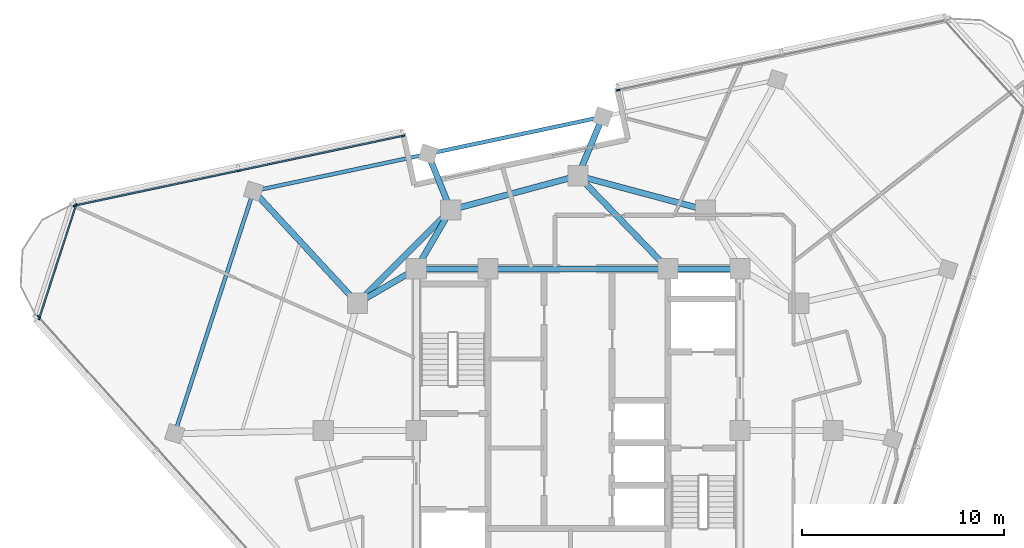
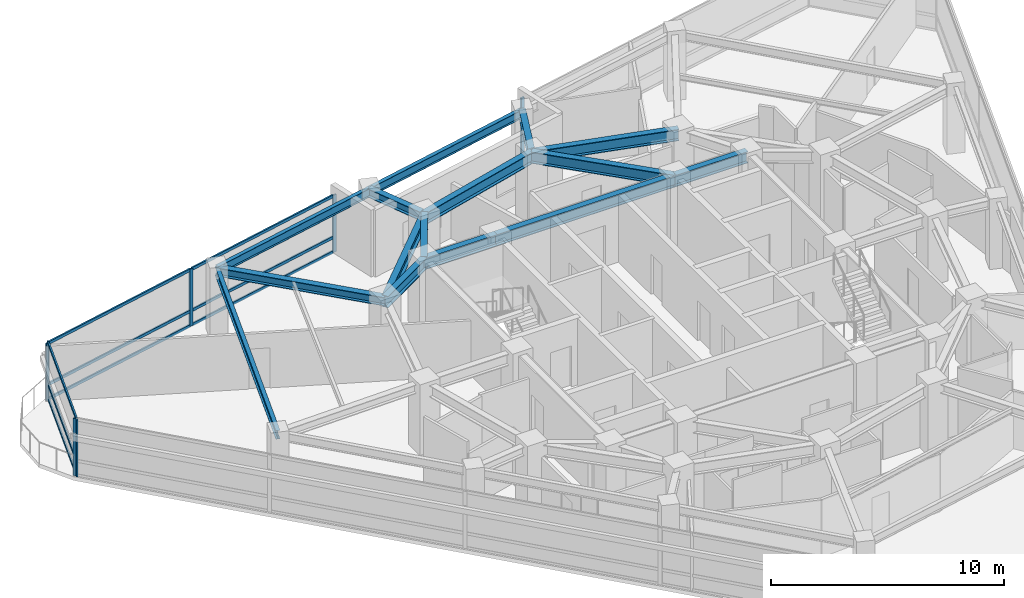
# One storey, part 5 of 15: 16 members, 15 beams, 4 elements without a shape of their own.
"""IFC4 building model written with IfcOpenShell, lengths in metres."""

from ifc_helpers import new_model, si_unit, direction, frame, origin, origin_2d, place, context, subcontext, project, spatial, rectangle, i_section, extrude, material, layer, layer_set, material_profile, profile_set, type_object, element, aggregate, save


model = new_model("IFC4")

# Units and contexts
model_context = context("Model", 3, precision=1e-05, world=origin(), true_north=direction((0.0, 1.0)))
body_context = subcontext(model_context, "Body", "Model", "MODEL_VIEW")
ifc_project = project(units=[si_unit("LENGTHUNIT", "METRE"), si_unit("AREAUNIT", "SQUARE_METRE"), si_unit("VOLUMEUNIT", "CUBIC_METRE"), si_unit("PLANEANGLEUNIT", "RADIAN"), si_unit("MASSUNIT", "GRAM", prefix="KILO")], contexts=[model_context])

# Site, building, storey
site_placement = place(None, origin())
site = spatial("IfcSite", under=ifc_project, at=site_placement, CompositionType="ELEMENT")
building_placement = place(site_placement, origin())
building = spatial("IfcBuilding", under=site, at=building_placement, Name="Terralouvre Media Tower", CompositionType="ELEMENT")
storey_placement = place(building_placement, frame((0.0, 0.0, 294.300048828125)))
storey = spatial("IfcBuildingStorey", under=building, at=storey_placement, Name="L76", CompositionType="ELEMENT", Elevation=294.300048828125)

# Curtain wall, members
ifc_material_1 = material(Name="Low-iron laminated double glazing with solar-control coating", Category="glass")
ifc_layer_1 = layer(ifc_material_1, 0.1650390625, Name="Faceted Glass-Point Crown Curtain Wall CW-06")
ifc_layer_set_1 = layer_set([ifc_layer_1], Name="Low-iron laminated double glazing with solar-control coating")
curtain_wall_type_1 = type_object("IfcCurtainWallType", Name="Faceted Glass-Point Crown Curtain Wall CW-06", PredefinedType="NOTDEFINED", material=ifc_layer_set_1)
curtain_wall_1_placement = place(storey_placement, origin())
curtain_wall_1 = element("IfcCurtainWall", 1, at=curtain_wall_1_placement, inside=storey, type_object=curtain_wall_type_1, Name="L76 Right Flank Curtain Wall F1", PredefinedType="NOTDEFINED")
ifc_material_2 = material(Name="Anodised extruded aluminium 6063-T6", Category="aluminium")
ifc_material_profile_1 = material_profile(ifc_material_2, rectangle(XDim=0.074951171875, YDim=0.14990234375, at=origin_2d()), Name="ALU 75x150")
ifc_profile_set_1 = profile_set([ifc_material_profile_1], Name="Anodised extruded aluminium 6063-T6")
member_type_1 = type_object("IfcMemberType", Name="Curtain-Wall Horizontal Transom TR-150", PredefinedType="USERDEFINED", material=ifc_profile_set_1)
member_1_placement = place(storey_placement, frame((-8.693603515625, 14.567138671875, 0.037353515625), z_axis=(-0.978148883033, -0.207905657984, 0.0), x_axis=(0.207905657984, -0.978148883033, 0.0)))
member_1 = element("IfcMember", 2, at=member_1_placement, type_object=member_type_1, Name="CW-06 transom 1.1", ObjectType="TRANSOM", PredefinedType="USERDEFINED", context=body_context, shape_type="SweptSolid", body=[
    extrude(rectangle(XDim=0.074951171875, YDim=0.14990234375, at=origin_2d()), origin(), (0.0, 0.0, 1.0), 8.217529296875),
])
member_2_placement = place(storey_placement, frame((-8.693603515625, 14.567138671875, 0.800048828125), z_axis=(-0.978148883033, -0.207905657984, 0.0), x_axis=(0.207905657984, -0.978148883033, 0.0)))
member_2 = element("IfcMember", 3, at=member_2_placement, type_object=member_type_1, Name="CW-06 transom 1.2", ObjectType="TRANSOM", PredefinedType="USERDEFINED", context=body_context, shape_type="SweptSolid", body=[
    extrude(rectangle(XDim=0.074951171875, YDim=0.14990234375, at=origin_2d()), origin(), (0.0, 0.0, 1.0), 8.217529296875),
])
member_3_placement = place(storey_placement, frame((-8.693603515625, 14.567138671875, 2.96240234375), z_axis=(-0.978148883033, -0.207905657984, 0.0), x_axis=(0.207905657984, -0.978148883033, 0.0)))
member_3 = element("IfcMember", 4, at=member_3_placement, type_object=member_type_1, Name="CW-06 transom 1.3", ObjectType="TRANSOM", PredefinedType="USERDEFINED", context=body_context, shape_type="SweptSolid", body=[
    extrude(rectangle(XDim=0.074951171875, YDim=0.14990234375, at=origin_2d()), origin(), (0.0, 0.0, 1.0), 8.217529296875),
])
member_4_placement = place(storey_placement, frame((-16.804931640625, 12.843017578125, 0.037353515625), z_axis=(-0.978147598799, -0.207911699918, 0.0), x_axis=(0.207911699918, -0.978147598799, 0.0)))
member_4 = element("IfcMember", 5, at=member_4_placement, type_object=member_type_1, Name="CW-06 transom 2.1", ObjectType="TRANSOM", PredefinedType="USERDEFINED", context=body_context, shape_type="SweptSolid", body=[
    extrude(rectangle(XDim=0.074951171875, YDim=0.14990234375, at=origin_2d()), origin(), (0.0, 0.0, 1.0), 8.217529296875),
])
member_5_placement = place(storey_placement, frame((-16.804931640625, 12.843017578125, 0.800048828125), z_axis=(-0.978147598799, -0.207911699918, 0.0), x_axis=(0.207911699918, -0.978147598799, 0.0)))
member_5 = element("IfcMember", 6, at=member_5_placement, type_object=member_type_1, Name="CW-06 transom 2.2", ObjectType="TRANSOM", PredefinedType="USERDEFINED", context=body_context, shape_type="SweptSolid", body=[
    extrude(rectangle(XDim=0.074951171875, YDim=0.14990234375, at=origin_2d()), origin(), (0.0, 0.0, 1.0), 8.217529296875),
])
member_6_placement = place(storey_placement, frame((-16.804931640625, 12.843017578125, 2.96240234375), z_axis=(-0.978147598799, -0.207911699918, 0.0), x_axis=(0.207911699918, -0.978147598799, 0.0)))
member_6 = element("IfcMember", 7, at=member_6_placement, type_object=member_type_1, Name="CW-06 transom 2.3", ObjectType="TRANSOM", PredefinedType="USERDEFINED", context=body_context, shape_type="SweptSolid", body=[
    extrude(rectangle(XDim=0.074951171875, YDim=0.14990234375, at=origin_2d()), origin(), (0.0, 0.0, 1.0), 8.217529296875),
])

ifc_material_3 = material(Name="Low-iron laminated double glazing with solar-control coating", Category="glass")
ifc_layer_2 = layer(ifc_material_3, 0.1650390625, Name="Rounded Wind-Corner Curved Glazing CW-04")
ifc_layer_set_2 = layer_set([ifc_layer_2], Name="Low-iron laminated double glazing with solar-control coating")
curtain_wall_type_2 = type_object("IfcCurtainWallType", Name="Rounded Wind-Corner Curved Glazing CW-04", PredefinedType="NOTDEFINED", material=ifc_layer_set_2)
curtain_wall_2_placement = place(storey_placement, origin())
curtain_wall_2 = element("IfcCurtainWall", 8, at=curtain_wall_2_placement, inside=storey, type_object=curtain_wall_type_2, Name="L76 Rounded Wind-Corner Curtain Wall C2", PredefinedType="NOTDEFINED")
member_7_placement = place(storey_placement, frame((-24.831298828125, 11.121826171875, 0.037353515625), z_axis=(-0.308980573489, -0.951068349387, 0.0), x_axis=(0.951068349387, -0.308980573489, 0.0)))
member_7 = element("IfcMember", 9, at=member_7_placement, type_object=member_type_1, Name="CW-04 transom 1.1", ObjectType="TRANSOM", PredefinedType="USERDEFINED", context=body_context, shape_type="SweptSolid", body=[
    extrude(rectangle(XDim=0.074951171875, YDim=0.14990234375, at=origin_2d()), origin(), (0.0, 0.0, 1.0), 5.808349609375),
])
member_8_placement = place(storey_placement, frame((-24.831298828125, 11.121826171875, 0.800048828125), z_axis=(-0.308980573489, -0.951068349387, 0.0), x_axis=(0.951068349387, -0.308980573489, 0.0)))
member_8 = element("IfcMember", 10, at=member_8_placement, type_object=member_type_1, Name="CW-04 transom 1.2", ObjectType="TRANSOM", PredefinedType="USERDEFINED", context=body_context, shape_type="SweptSolid", body=[
    extrude(rectangle(XDim=0.074951171875, YDim=0.14990234375, at=origin_2d()), origin(), (0.0, 0.0, 1.0), 5.808349609375),
])
member_9_placement = place(storey_placement, frame((-24.831298828125, 11.121826171875, 2.96240234375), z_axis=(-0.308980573489, -0.951068349387, 0.0), x_axis=(0.951068349387, -0.308980573489, 0.0)))
member_9 = element("IfcMember", 11, at=member_9_placement, type_object=member_type_1, Name="CW-04 transom 1.3", ObjectType="TRANSOM", PredefinedType="USERDEFINED", context=body_context, shape_type="SweptSolid", body=[
    extrude(rectangle(XDim=0.074951171875, YDim=0.14990234375, at=origin_2d()), origin(), (0.0, 0.0, 1.0), 5.808349609375),
])

# Curtain wall, member
curtain_wall_3_placement = place(storey_placement, origin())
curtain_wall_3 = element("IfcCurtainWall", 12, at=curtain_wall_3_placement, inside=storey, type_object=curtain_wall_type_1, Name="L76 Left Flank Curtain Wall F1", PredefinedType="NOTDEFINED")
ifc_material_4 = material(Name="Anodised extruded aluminium 6063-T6", Category="aluminium")
ifc_material_profile_2 = material_profile(ifc_material_4, rectangle(XDim=0.074951171875, YDim=0.179931640625, at=origin_2d()), Name="ALU 75x180")
ifc_profile_set_2 = profile_set([ifc_material_profile_2], Name="Anodised extruded aluminium 6063-T6")
member_type_2 = type_object("IfcMemberType", Name="Curtain-Wall Vertical Mullion ML-180", PredefinedType="MULLION", material=ifc_profile_set_2)
member_10_placement = place(storey_placement, frame((1.98046875, 16.8359375, 0.0), z_axis=(0.0, 0.0, 1.0), x_axis=(0.207911749648, -0.978147588229, 0.0)))
member_10 = element("IfcMember", 13, at=member_10_placement, type_object=member_type_2, Name="CW-06 mullion 3", PredefinedType="MULLION", context=body_context, shape_type="SweptSolid", body=[
    extrude(rectangle(XDim=0.074951171875, YDim=0.179931640625, at=origin_2d()), origin(), (0.0, 0.0, 1.0), 3.0),
])
aggregate(curtain_wall_3, [member_10])

# Member
member_11_placement = place(storey_placement, frame((-8.656982421875, 14.574951171875, 0.0), z_axis=(0.0, 0.0, 1.0), x_axis=(0.20791129743, -0.978147684351, 0.0)))
member_11 = element("IfcMember", 14, at=member_11_placement, type_object=member_type_2, Name="CW-06 mullion 1", PredefinedType="MULLION", context=body_context, shape_type="SweptSolid", body=[
    extrude(rectangle(XDim=0.074951171875, YDim=0.179931640625, at=origin_2d()), origin(), (0.0, 0.0, 1.0), 3.0),
])

member_12_placement = place(storey_placement, frame((-16.768310546875, 12.850830078125, 0.0), z_axis=(0.0, 0.0, 1.0), x_axis=(0.20791129743, -0.978147684351, 0.0)))
member_12 = element("IfcMember", 15, at=member_12_placement, type_object=member_type_2, Name="CW-06 mullion 2", PredefinedType="MULLION", context=body_context, shape_type="SweptSolid", body=[
    extrude(rectangle(XDim=0.074951171875, YDim=0.179931640625, at=origin_2d()), origin(), (0.0, 0.0, 1.0), 3.0),
])

member_13_placement = place(storey_placement, frame((-24.879638671875, 11.126708984375, 0.0), z_axis=(0.0, 0.0, 1.0), x_axis=(0.20791129743, -0.978147684351, 0.0)))
member_13 = element("IfcMember", 16, at=member_13_placement, type_object=member_type_2, Name="CW-06 mullion 3", PredefinedType="MULLION", context=body_context, shape_type="SweptSolid", body=[
    extrude(rectangle(XDim=0.074951171875, YDim=0.179931640625, at=origin_2d()), origin(), (0.0, 0.0, 1.0), 3.0),
])

aggregate(curtain_wall_1, [member_11, member_12, member_13, member_1, member_2, member_3, member_4, member_5, member_6])

# Curtain wall, member
curtain_wall_4_placement = place(storey_placement, origin())
curtain_wall_4 = element("IfcCurtainWall", 17, at=curtain_wall_4_placement, inside=storey, type_object=curtain_wall_type_1, Name="L76 Facade Curtain Wall F2", PredefinedType="NOTDEFINED")
member_14_placement = place(storey_placement, frame((-26.668212890625, 5.6220703125, 0.0), z_axis=(0.0, 0.0, 1.0), x_axis=(0.743144855036, 0.669130573531, 0.0)))
member_14 = element("IfcMember", 18, at=member_14_placement, type_object=member_type_2, Name="CW-06 mullion 1", PredefinedType="MULLION", context=body_context, shape_type="SweptSolid", body=[
    extrude(rectangle(XDim=0.074951171875, YDim=0.179931640625, at=origin_2d()), origin(), (0.0, 0.0, 1.0), 3.0),
])
aggregate(curtain_wall_4, [member_14])

# Member
member_15_placement = place(storey_placement, frame((-24.819580078125, 11.157470703125, 0.0), z_axis=(0.0, 0.0, 1.0), x_axis=(0.951056661679, -0.30901654693, 0.0)))
member_15 = element("IfcMember", 19, at=member_15_placement, type_object=member_type_2, Name="CW-04 mullion 1", PredefinedType="MULLION", context=body_context, shape_type="SweptSolid", body=[
    extrude(rectangle(XDim=0.074951171875, YDim=0.179931640625, at=origin_2d()), origin(), (0.0, 0.0, 1.0), 3.0),
])

member_16_placement = place(storey_placement, frame((-26.6376953125, 5.56201171875, 0.0), z_axis=(0.0, 0.0, 1.0), x_axis=(0.951056661679, -0.30901654693, 0.0)))
member_16 = element("IfcMember", 20, at=member_16_placement, type_object=member_type_2, Name="CW-04 mullion 2", PredefinedType="MULLION", context=body_context, shape_type="SweptSolid", body=[
    extrude(rectangle(XDim=0.074951171875, YDim=0.179931640625, at=origin_2d()), origin(), (0.0, 0.0, 1.0), 3.0),
])

aggregate(curtain_wall_2, [member_15, member_16, member_7, member_8, member_9])

# Beams
ifc_material_5 = material(Name="Structural steel S355J2", Category="steel")
ifc_material_profile_3 = material_profile(ifc_material_5, i_section(OverallWidth=0.18994140625, OverallDepth=0.449951171875, WebThickness=0.009521484375, FlangeThickness=0.0146484375, at=origin_2d()), Name="IPE 450")
ifc_profile_set_3 = profile_set([ifc_material_profile_3], Name="Structural steel S355J2")
beam_type_1 = type_object("IfcBeamType", Name="Perimeter Spandrel Beam SPB-450 (IPE 450)", PredefinedType="SPANDREL", material=ifc_profile_set_3)
for number, where, z_axis, x_axis, name in (
    (21, (1.212158203125, 15.517578125, 3.27490234375), (-0.97814485548, -0.207924605802, 0.0), (0.207924605802, -0.97814485548, 0.0), "L76 Framing Beam BM-L76-PR10"),
    (22, (-7.4189453125, 13.682861328125, 3.27490234375), (-0.97814485548, -0.207924605802, 0.0), (0.207924605802, -0.97814485548, 0.0), "L76 Framing Beam BM-L76-PR11"),
):
    element("IfcBeam", number, at=place(storey_placement, frame(where, z_axis=z_axis, x_axis=x_axis)), inside=storey, type_object=beam_type_1, Name=name, PredefinedType="SPANDREL", context=body_context, shape_type="SweptSolid", body=[
        extrude(i_section(OverallWidth=0.18994140625, OverallDepth=0.449951171875, WebThickness=0.009521484375, FlangeThickness=0.0146484375, at=origin_2d()), origin(), (0.0, 0.0, 1.0), 8.823974609375),
    ])
beam_1_placement = place(storey_placement, frame((-16.050048828125, 11.84814453125, 3.27490234375), z_axis=(-0.309020441102, -0.951055396379, 0.0), x_axis=(0.951055396379, -0.309020441102, 0.0)))
element("IfcBeam", 23, at=beam_1_placement, inside=storey, type_object=beam_type_1, Name="L76 Framing Beam BM-L76-PR12", PredefinedType="SPANDREL", context=body_context, shape_type="SweptSolid", body=[
    extrude(i_section(OverallWidth=0.18994140625, OverallDepth=0.449951171875, WebThickness=0.009521484375, FlangeThickness=0.0146484375, at=origin_2d()), origin(), (0.0, 0.0, 1.0), 12.616943359375),
])
ifc_material_6 = material(Name="Structural steel S355J2", Category="steel")
ifc_material_profile_4 = material_profile(ifc_material_6, i_section(OverallWidth=0.300048828125, OverallDepth=0.449951171875, WebThickness=0.013916015625, FlangeThickness=0.02587890625, at=origin_2d()), Name="HEB 450")
ifc_profile_set_4 = profile_set([ifc_material_profile_4], Name="Structural steel S355J2")
beam_type_2 = type_object("IfcBeamType", Name="Primary Floor Girder B-HEB450 (HEB 450)", PredefinedType="BEAM", material=ifc_profile_set_4)
beam_2_placement = place(storey_placement, frame((0.0, 12.60009765625, 3.27490234375), z_axis=(0.383682372078, 0.923465125143, 0.0), x_axis=(-0.923465125143, 0.383682372078, 0.0)))
element("IfcBeam", 24, at=beam_2_placement, inside=storey, type_object=beam_type_2, Name="L76 Framing Beam BM-L76-RD10", PredefinedType="BEAM", context=body_context, shape_type="SweptSolid", body=[
    extrude(i_section(OverallWidth=0.300048828125, OverallDepth=0.449951171875, WebThickness=0.013916015625, FlangeThickness=0.02587890625, at=origin_2d()), origin(), (0.0, 0.0, 1.0), 3.1591796875),
])
beam_3_placement = place(storey_placement, frame((-6.300048828125, 10.911865234375, 3.27490234375), z_axis=(-0.374417122208, 0.927260383386, 0.0), x_axis=(-0.927260383386, -0.374417122208, 0.0)))
element("IfcBeam", 25, at=beam_3_placement, inside=storey, type_object=beam_type_2, Name="L76 Framing Beam BM-L76-RD11", PredefinedType="BEAM", context=body_context, shape_type="SweptSolid", body=[
    extrude(i_section(OverallWidth=0.300048828125, OverallDepth=0.449951171875, WebThickness=0.013916015625, FlangeThickness=0.02587890625, at=origin_2d()), origin(), (0.0, 0.0, 1.0), 2.98828125),
])
beam_4_placement = place(storey_placement, frame((-10.911865234375, 6.300048828125, 3.27490234375), z_axis=(-0.679483353105, 0.733690924609, 0.0), x_axis=(-0.733690924609, -0.679483353105, 0.0)))
element("IfcBeam", 26, at=beam_4_placement, inside=storey, type_object=beam_type_2, Name="L76 Framing Beam BM-L76-RD12", PredefinedType="BEAM", context=body_context, shape_type="SweptSolid", body=[
    extrude(i_section(OverallWidth=0.300048828125, OverallDepth=0.449951171875, WebThickness=0.013916015625, FlangeThickness=0.02587890625, at=origin_2d()), origin(), (0.0, 0.0, 1.0), 7.56201171875),
])
ifc_material_7 = material(Name="Structural steel S460M", Category="steel")
ifc_material_profile_5 = material_profile(ifc_material_7, i_section(OverallWidth=0.300048828125, OverallDepth=0.60009765625, WebThickness=0.015380859375, FlangeThickness=0.030029296875, at=origin_2d()), Name="HEB 600")
ifc_profile_set_5 = profile_set([ifc_material_profile_5], Name="Structural steel S460M")
beam_type_3 = type_object("IfcBeamType", Name="Primary Floor Girder B-HEB600 (HEB 600)", PredefinedType="BEAM", material=ifc_profile_set_5)
beam_5_placement = place(storey_placement, frame((8.0, 8.0, 3.199951171875), z_axis=(-1.0, 0.0, 0.0), x_axis=(0.0, -1.0, 0.0)))
element("IfcBeam", 27, at=beam_5_placement, inside=storey, type_object=beam_type_3, Name="L76 Framing Beam BM-L76-CPR06", PredefinedType="BEAM", context=body_context, shape_type="SweptSolid", body=[
    extrude(i_section(OverallWidth=0.300048828125, OverallDepth=0.60009765625, WebThickness=0.015380859375, FlangeThickness=0.030029296875, at=origin_2d()), origin(), (0.0, 0.0, 1.0), 3.550048828125),
])
beam_6_placement = place(storey_placement, frame((4.449951171875, 8.0, 3.199951171875), z_axis=(-1.0, 0.0, 0.0), x_axis=(0.0, -1.0, 0.0)))
element("IfcBeam", 28, at=beam_6_placement, inside=storey, type_object=beam_type_3, Name="L76 Framing Beam BM-L76-CPR07", PredefinedType="BEAM", context=body_context, shape_type="SweptSolid", body=[
    extrude(i_section(OverallWidth=0.300048828125, OverallDepth=0.60009765625, WebThickness=0.015380859375, FlangeThickness=0.030029296875, at=origin_2d()), origin(), (0.0, 0.0, 1.0), 8.89990234375),
])
beam_7_placement = place(storey_placement, frame((-4.449951171875, 8.0, 3.199951171875), z_axis=(-1.0, 0.0, 0.0), x_axis=(0.0, -1.0, 0.0)))
element("IfcBeam", 29, at=beam_7_placement, inside=storey, type_object=beam_type_3, Name="L76 Framing Beam BM-L76-CPR08", PredefinedType="BEAM", context=body_context, shape_type="SweptSolid", body=[
    extrude(i_section(OverallWidth=0.300048828125, OverallDepth=0.60009765625, WebThickness=0.015380859375, FlangeThickness=0.030029296875, at=origin_2d()), origin(), (0.0, 0.0, 1.0), 3.550048828125),
])
for number, where, z_axis, x_axis, name in (
    (30, (6.300048828125, 10.911865234375, 3.199951171875), (-0.965920481897, 0.258838989821, 0.0), (-0.258838989821, -0.965920481897, 0.0), "L76 Framing Beam BM-L76-MR08"),
    (31, (0.0, 12.60009765625, 3.199951171875), (-0.965920481897, -0.258838989821, 0.0), (0.258838989821, -0.965920481897, 0.0), "L76 Framing Beam BM-L76-MR09"),
):
    element("IfcBeam", number, at=place(storey_placement, frame(where, z_axis=z_axis, x_axis=x_axis)), inside=storey, type_object=beam_type_3, Name=name, PredefinedType="BEAM", context=body_context, shape_type="SweptSolid", body=[
        extrude(i_section(OverallWidth=0.300048828125, OverallDepth=0.60009765625, WebThickness=0.015380859375, FlangeThickness=0.030029296875, at=origin_2d()), origin(), (0.0, 0.0, 1.0), 6.522216796875),
    ])
beam_8_placement = place(storey_placement, frame((-6.300048828125, 10.911865234375, 3.199951171875), z_axis=(-0.707106781187, -0.707106781187, 0.0), x_axis=(0.707106781187, -0.707106781187, 0.0)))
element("IfcBeam", 32, at=beam_8_placement, inside=storey, type_object=beam_type_3, Name="L76 Framing Beam BM-L76-MR10", PredefinedType="BEAM", context=body_context, shape_type="SweptSolid", body=[
    extrude(i_section(OverallWidth=0.300048828125, OverallDepth=0.60009765625, WebThickness=0.015380859375, FlangeThickness=0.030029296875, at=origin_2d()), origin(), (0.0, 0.0, 1.0), 6.52197265625),
])
beam_9_placement = place(storey_placement, frame((4.449951171875, 8.0, 3.199951171875), z_axis=(-0.695279715726, 0.718739255155, 0.0), x_axis=(-0.718739255155, -0.695279715726, 0.0)))
element("IfcBeam", 33, at=beam_9_placement, inside=storey, type_object=beam_type_3, Name="L76 Framing Beam BM-L76-CM09", PredefinedType="BEAM", context=body_context, shape_type="SweptSolid", body=[
    extrude(i_section(OverallWidth=0.300048828125, OverallDepth=0.60009765625, WebThickness=0.015380859375, FlangeThickness=0.030029296875, at=origin_2d()), origin(), (0.0, 0.0, 1.0), 6.400146484375),
])
for number, where, z_axis, x_axis, name in (
    (34, (-8.0, 8.0, 3.199951171875), (0.504172629717, 0.863602894532, 0.0), (-0.863602894532, 0.504172629717, 0.0), "L76 Framing Beam BM-L76-CM10"),
    (35, (-8.0, 8.0, 3.199951171875), (-0.863602894532, -0.504172629717, 0.0), (0.504172629717, -0.863602894532, 0.0), "L76 Framing Beam BM-L76-CM11"),
):
    element("IfcBeam", number, at=place(storey_placement, frame(where, z_axis=z_axis, x_axis=x_axis)), inside=storey, type_object=beam_type_3, Name=name, PredefinedType="BEAM", context=body_context, shape_type="SweptSolid", body=[
        extrude(i_section(OverallWidth=0.300048828125, OverallDepth=0.60009765625, WebThickness=0.015380859375, FlangeThickness=0.030029296875, at=origin_2d()), origin(), (0.0, 0.0, 1.0), 3.371826171875),
    ])

save(model, "model.ifc")
